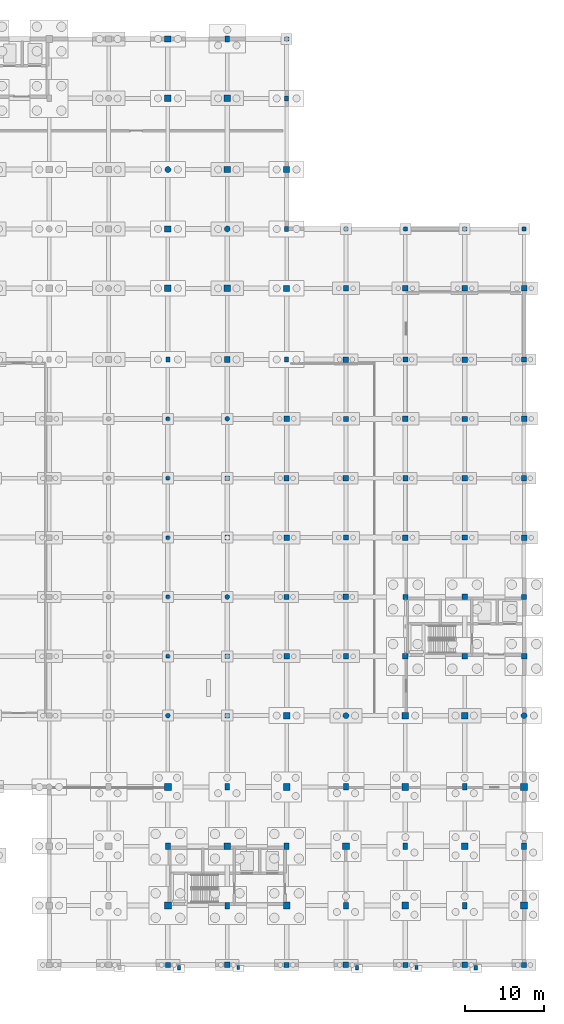
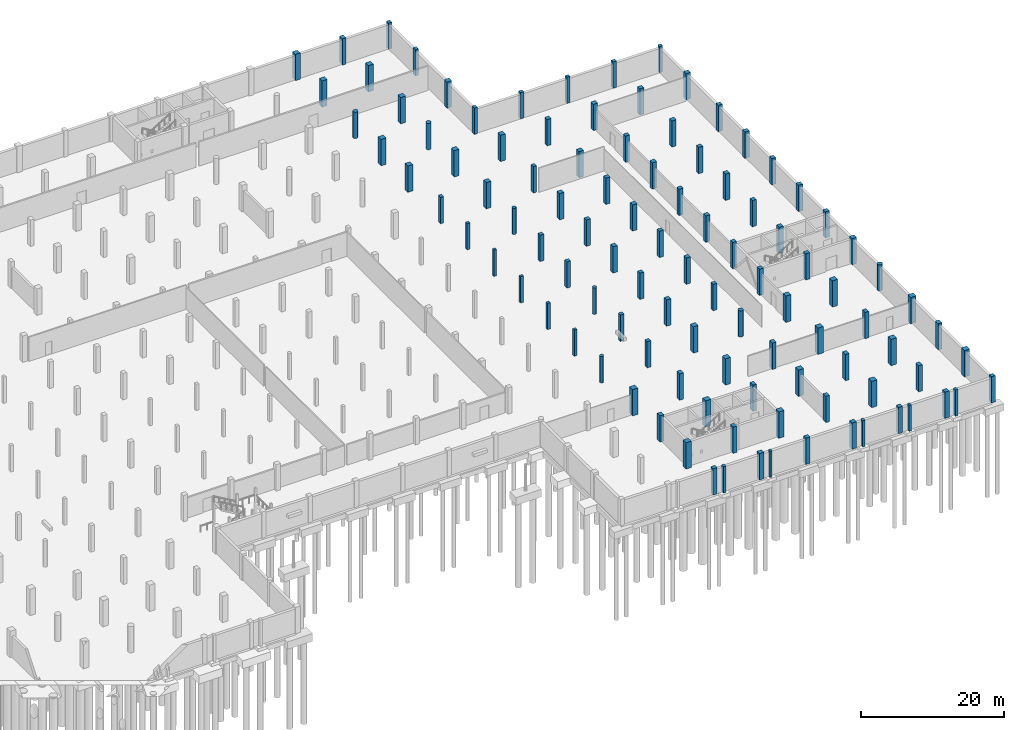
# One storey, part 21 of 42: 105 columns.
"""IFC4 building model written with IfcOpenShell, lengths in metres."""

from ifc_helpers import new_model, si_unit, direction, frame, origin, origin_2d, place, context, subcontext, project, spatial, rectangle, circle, extrude, material, material_profile, profile_set, type_object, element, save


model = new_model("IFC4")

# Units and contexts
model_context = context("Model", 3, precision=1e-05, world=origin(), true_north=direction((0.0, 1.0)))
body_context = subcontext(model_context, "Body", "Model", "MODEL_VIEW")
ifc_project = project(units=[si_unit("LENGTHUNIT", "METRE"), si_unit("AREAUNIT", "SQUARE_METRE"), si_unit("VOLUMEUNIT", "CUBIC_METRE"), si_unit("PLANEANGLEUNIT", "RADIAN"), si_unit("MASSUNIT", "GRAM", prefix="KILO")], contexts=[model_context])

# Site, building, storey
site_placement = place(None, origin())
site = spatial("IfcSite", under=ifc_project, at=site_placement, CompositionType="ELEMENT")
building_placement = place(site_placement, origin())
building = spatial("IfcBuilding", under=site, at=building_placement, Name="Dalvernix Boulevard General Hospital", CompositionType="ELEMENT")
storey_placement = place(building_placement, frame((0.0, 0.0, -4.5)))
storey = spatial("IfcBuildingStorey", under=building, at=storey_placement, Name="B1", CompositionType="ELEMENT", Elevation=-4.5)

# Columns
ifc_material = material(Name="Concrete C40/50", Category="concrete")
ifc_material_profile_1 = material_profile(ifc_material, rectangle(XDim=0.85009765625, YDim=0.85009765625, at=origin_2d()), Name="RC 850x850")
ifc_profile_set_1 = profile_set([ifc_material_profile_1], Name="Concrete C40/50")
column_type_1 = type_object("IfcColumnType", Name="COL-C-02-E", PredefinedType="COLUMN", material=ifc_profile_set_1)
for number, where, z_axis, x_axis, name in (
    (1, (172.5, 7.5, 0.0), (0.0, 0.0, 1.0), (1.0, 0.0, 0.0), "B1 column 24B"),
    (2, (172.5, 22.5, 0.0), (0.0, 0.0, 1.0), (1.0, 0.0, 0.0), "B1 column 24D"),
):
    element("IfcColumn", number, at=place(storey_placement, frame(where, z_axis=z_axis, x_axis=x_axis)), inside=storey, type_object=column_type_1, Name=name, PredefinedType="COLUMN", context=body_context, shape_type="SweptSolid", body=[
        extrude(rectangle(XDim=0.85009765625, YDim=0.85009765625, at=origin_2d()), origin(), (0.0, 0.0, 1.0), 4.5),
    ])
ifc_material_profile_2 = material_profile(ifc_material, rectangle(XDim=0.85009765625, YDim=0.85009765625, at=origin_2d()), Name="RC 850x850")
ifc_profile_set_2 = profile_set([ifc_material_profile_2], Name="Concrete C40/50")
column_type_2 = type_object("IfcColumnType", Name="COL-C-02-I", PredefinedType="COLUMN", material=ifc_profile_set_2)
for number, where, z_axis, x_axis, name in (
    (3, (127.5, 7.5, 0.0), (0.0, 0.0, 1.0), (1.0, 0.0, 0.0), "B1 column 18B"),
    (4, (127.5, 22.5, 0.0), (0.0, 0.0, 1.0), (1.0, 0.0, 0.0), "B1 column 18D"),
    (5, (135.0, 15.0, 0.0), (0.0, 0.0, 1.0), (1.0, 0.0, 0.0), "B1 column 19C"),
    (6, (142.5, 7.5, 0.0), (0.0, 0.0, 1.0), (1.0, 0.0, 0.0), "B1 column 20B"),
    (7, (142.5, 22.5, 0.0), (0.0, 0.0, 1.0), (1.0, 0.0, 0.0), "B1 column 20D"),
    (8, (150.0, 15.0, 0.0), (0.0, 0.0, 1.0), (1.0, 0.0, 0.0), "B1 column 21C"),
    (9, (157.5, 7.5, 0.0), (0.0, 0.0, 1.0), (1.0, 0.0, 0.0), "B1 column 22B"),
    (10, (157.5, 22.5, 0.0), (0.0, 0.0, 1.0), (1.0, 0.0, 0.0), "B1 column 22D"),
    (11, (165.0, 15.0, 0.0), (0.0, 0.0, 1.0), (1.0, 0.0, 0.0), "B1 column 23C"),
):
    element("IfcColumn", number, at=place(storey_placement, frame(where, z_axis=z_axis, x_axis=x_axis)), inside=storey, type_object=column_type_2, Name=name, PredefinedType="COLUMN", context=body_context, shape_type="SweptSolid", body=[
        extrude(rectangle(XDim=0.85009765625, YDim=0.85009765625, at=origin_2d()), origin(), (0.0, 0.0, 1.0), 4.5),
    ])
ifc_material_profile_3 = material_profile(ifc_material, rectangle(XDim=0.800048828125, YDim=0.800048828125, at=origin_2d()), Name="RC 800x800")
ifc_profile_set_3 = profile_set([ifc_material_profile_3], Name="Concrete C40/50")
column_type_3 = type_object("IfcColumnType", Name="COL-C-03-E", PredefinedType="COLUMN", material=ifc_profile_set_3)
column_1_placement = place(storey_placement, frame((127.5, 117.0, 0.0), z_axis=(0.0, 0.0, 1.0), x_axis=(1.0, 0.0, 0.0)))
element("IfcColumn", 12, at=column_1_placement, inside=storey, type_object=column_type_3, Name="B1 column 18R", PredefinedType="COLUMN", context=body_context, shape_type="SweptSolid", body=[
    extrude(rectangle(XDim=0.800048828125, YDim=0.800048828125, at=origin_2d()), origin(), (0.0, 0.0, 1.0), 4.5),
])
ifc_material_profile_4 = material_profile(ifc_material, rectangle(XDim=0.800048828125, YDim=0.800048828125, at=origin_2d()), Name="RC 800x800")
ifc_profile_set_4 = profile_set([ifc_material_profile_4], Name="Concrete C40/50")
column_type_4 = type_object("IfcColumnType", Name="COL-C-03-I", PredefinedType="COLUMN", material=ifc_profile_set_4)
for number, where, z_axis, x_axis, name in (
    (13, (127.5, 85.5, 0.0), (0.0, 0.0, 1.0), (1.0, 0.0, 0.0), "B1 column 18M"),
    (14, (127.5, 93.0, 0.0), (0.0, 0.0, 1.0), (1.0, 0.0, 0.0), "B1 column 18N"),
    (15, (127.5, 109.5, 0.0), (0.0, 0.0, 1.0), (1.0, 0.0, 0.0), "B1 column 18Q"),
    (16, (135.0, 85.5, 0.0), (0.0, 0.0, 1.0), (1.0, 0.0, 0.0), "B1 column 19M"),
    (17, (135.0, 100.5, 0.0), (0.0, 0.0, 1.0), (1.0, 0.0, 0.0), "B1 column 19P"),
    (18, (135.0, 109.5, 0.0), (0.0, 0.0, 1.0), (1.0, 0.0, 0.0), "B1 column 19Q"),
    (19, (142.5, 31.5, 0.0), (0.0, 0.0, 1.0), (1.0, 0.0, 0.0), "B1 column 20E"),
    (20, (157.5, 31.5, 0.0), (0.0, 0.0, 1.0), (1.0, 0.0, 0.0), "B1 column 22E"),
    (21, (165.0, 31.5, 0.0), (0.0, 0.0, 1.0), (1.0, 0.0, 0.0), "B1 column 23E"),
):
    element("IfcColumn", number, at=place(storey_placement, frame(where, z_axis=z_axis, x_axis=x_axis)), inside=storey, type_object=column_type_4, Name=name, PredefinedType="COLUMN", context=body_context, shape_type="SweptSolid", body=[
        extrude(rectangle(XDim=0.800048828125, YDim=0.800048828125, at=origin_2d()), origin(), (0.0, 0.0, 1.0), 4.5),
    ])
ifc_material_profile_5 = material_profile(ifc_material, rectangle(XDim=0.75, YDim=0.75, at=origin_2d()), Name="RC 750x750")
ifc_profile_set_5 = profile_set([ifc_material_profile_5], Name="Concrete C40/50")
column_type_5 = type_object("IfcColumnType", Name="COL-C-04-E", PredefinedType="COLUMN", material=ifc_profile_set_5)
column_2_placement = place(storey_placement, frame((142.5, 100.5, 0.0), z_axis=(0.0, 0.0, 1.0), x_axis=(1.0, 0.0, 0.0)))
element("IfcColumn", 22, at=column_2_placement, inside=storey, type_object=column_type_5, Name="B1 column 20P", PredefinedType="COLUMN", context=body_context, shape_type="SweptSolid", body=[
    extrude(rectangle(XDim=0.75, YDim=0.75, at=origin_2d()), origin(), (0.0, 0.0, 1.0), 4.5),
])
ifc_material_profile_6 = material_profile(ifc_material, rectangle(XDim=0.75, YDim=0.75, at=origin_2d()), Name="RC 750x750")
ifc_profile_set_6 = profile_set([ifc_material_profile_6], Name="Concrete C40/50")
column_type_6 = type_object("IfcColumnType", Name="COL-C-04-I", PredefinedType="COLUMN", material=ifc_profile_set_6)
for number, where, z_axis, x_axis, name in (
    (23, (135.0, 76.5, 0.0), (0.0, 0.0, 1.0), (1.0, 0.0, 0.0), "B1 column 19L"),
    (24, (142.5, 85.5, 0.0), (0.0, 0.0, 1.0), (1.0, 0.0, 0.0), "B1 column 20M"),
):
    element("IfcColumn", number, at=place(storey_placement, frame(where, z_axis=z_axis, x_axis=x_axis)), inside=storey, type_object=column_type_6, Name=name, PredefinedType="COLUMN", context=body_context, shape_type="SweptSolid", body=[
        extrude(rectangle(XDim=0.75, YDim=0.75, at=origin_2d()), origin(), (0.0, 0.0, 1.0), 4.5),
    ])
ifc_material_profile_7 = material_profile(ifc_material, rectangle(XDim=0.699951171875, YDim=0.699951171875, at=origin_2d()), Name="RC 700x700")
ifc_profile_set_7 = profile_set([ifc_material_profile_7], Name="Concrete C40/50")
column_type_7 = type_object("IfcColumnType", Name="COL-C-05-E", PredefinedType="COLUMN", material=ifc_profile_set_7)
for number, where, z_axis, x_axis, name in (
    (25, (135.0, 0.0, 0.0), (0.0, 0.0, 1.0), (1.0, 0.0, 0.0), "B1 column 19A"),
    (26, (150.0, 0.0, 0.0), (0.0, 0.0, 1.0), (1.0, 0.0, 0.0), "B1 column 21A"),
    (27, (165.0, 0.0, 0.0), (0.0, 0.0, 1.0), (1.0, 0.0, 0.0), "B1 column 23A"),
    (28, (172.5, 39.0, 0.0), (0.0, 0.0, 1.0), (1.0, 0.0, 0.0), "B1 column 24F"),
    (29, (172.5, 54.0, 0.0), (0.0, 0.0, 1.0), (1.0, 0.0, 0.0), "B1 column 24H"),
    (30, (172.5, 69.0, 0.0), (0.0, 0.0, 1.0), (1.0, 0.0, 0.0), "B1 column 24K"),
    (31, (172.5, 85.5, 0.0), (0.0, 0.0, 1.0), (1.0, 0.0, 0.0), "B1 column 24M"),
):
    element("IfcColumn", number, at=place(storey_placement, frame(where, z_axis=z_axis, x_axis=x_axis)), inside=storey, type_object=column_type_7, Name=name, PredefinedType="COLUMN", context=body_context, shape_type="SweptSolid", body=[
        extrude(rectangle(XDim=0.699951171875, YDim=0.699951171875, at=origin_2d()), origin(), (0.0, 0.0, 1.0), 4.5),
    ])
ifc_material_profile_8 = material_profile(ifc_material, rectangle(XDim=0.699951171875, YDim=0.699951171875, at=origin_2d()), Name="RC 700x700")
ifc_profile_set_8 = profile_set([ifc_material_profile_8], Name="Concrete C40/50")
column_type_8 = type_object("IfcColumnType", Name="COL-C-05-I", PredefinedType="COLUMN", material=ifc_profile_set_8)
for number, where, z_axis, x_axis, name in (
    (32, (142.5, 39.0, 0.0), (0.0, 0.0, 1.0), (1.0, 0.0, 0.0), "B1 column 20F"),
    (33, (142.5, 54.0, 0.0), (0.0, 0.0, 1.0), (1.0, 0.0, 0.0), "B1 column 20H"),
    (34, (142.5, 69.0, 0.0), (0.0, 0.0, 1.0), (1.0, 0.0, 0.0), "B1 column 20K"),
    (35, (150.0, 46.5, 0.0), (0.0, 0.0, 1.0), (1.0, 0.0, 0.0), "B1 column 21G"),
    (36, (150.0, 61.5, 0.0), (0.0, 0.0, 1.0), (1.0, 0.0, 0.0), "B1 column 21J"),
    (37, (150.0, 76.5, 0.0), (0.0, 0.0, 1.0), (1.0, 0.0, 0.0), "B1 column 21L"),
    (38, (157.5, 39.0, 0.0), (0.0, 0.0, 1.0), (1.0, 0.0, 0.0), "B1 column 22F"),
    (39, (157.5, 54.0, 0.0), (0.0, 0.0, 1.0), (1.0, 0.0, 0.0), "B1 column 22H"),
    (40, (157.5, 69.0, 0.0), (0.0, 0.0, 1.0), (1.0, 0.0, 0.0), "B1 column 22K"),
    (41, (157.5, 85.5, 0.0), (0.0, 0.0, 1.0), (1.0, 0.0, 0.0), "B1 column 22M"),
    (42, (165.0, 46.5, 0.0), (0.0, 0.0, 1.0), (1.0, 0.0, 0.0), "B1 column 23G"),
    (43, (165.0, 61.5, 0.0), (0.0, 0.0, 1.0), (1.0, 0.0, 0.0), "B1 column 23J"),
    (44, (165.0, 76.5, 0.0), (0.0, 0.0, 1.0), (1.0, 0.0, 0.0), "B1 column 23L"),
):
    element("IfcColumn", number, at=place(storey_placement, frame(where, z_axis=z_axis, x_axis=x_axis)), inside=storey, type_object=column_type_8, Name=name, PredefinedType="COLUMN", context=body_context, shape_type="SweptSolid", body=[
        extrude(rectangle(XDim=0.699951171875, YDim=0.699951171875, at=origin_2d()), origin(), (0.0, 0.0, 1.0), 4.5),
    ])
ifc_material_profile_9 = material_profile(ifc_material, rectangle(XDim=0.64990234375, YDim=0.64990234375, at=origin_2d()), Name="RC 650x650")
ifc_profile_set_9 = profile_set([ifc_material_profile_9], Name="Concrete C40/50")
column_type_9 = type_object("IfcColumnType", Name="COL-C-06-E", PredefinedType="COLUMN", material=ifc_profile_set_9)
for number, where, z_axis, x_axis, name in (
    (45, (127.5, 0.0, 0.0), (0.0, 0.0, 1.0), (1.0, 0.0, 0.0), "B1 column 18A"),
    (46, (142.5, 0.0, 0.0), (0.0, 0.0, 1.0), (1.0, 0.0, 0.0), "B1 column 20A"),
    (47, (157.5, 0.0, 0.0), (0.0, 0.0, 1.0), (1.0, 0.0, 0.0), "B1 column 22A"),
    (48, (172.5, 0.0, 0.0), (0.0, 0.0, 1.0), (1.0, 0.0, 0.0), "B1 column 24A"),
    (49, (172.5, 46.5, 0.0), (0.0, 0.0, 1.0), (1.0, 0.0, 0.0), "B1 column 24G"),
    (50, (172.5, 61.5, 0.0), (0.0, 0.0, 1.0), (1.0, 0.0, 0.0), "B1 column 24J"),
    (51, (172.5, 76.5, 0.0), (0.0, 0.0, 1.0), (1.0, 0.0, 0.0), "B1 column 24L"),
):
    element("IfcColumn", number, at=place(storey_placement, frame(where, z_axis=z_axis, x_axis=x_axis)), inside=storey, type_object=column_type_9, Name=name, PredefinedType="COLUMN", context=body_context, shape_type="SweptSolid", body=[
        extrude(rectangle(XDim=0.64990234375, YDim=0.64990234375, at=origin_2d()), origin(), (0.0, 0.0, 1.0), 4.5),
    ])
ifc_material_profile_10 = material_profile(ifc_material, rectangle(XDim=0.64990234375, YDim=0.64990234375, at=origin_2d()), Name="RC 650x650")
ifc_profile_set_10 = profile_set([ifc_material_profile_10], Name="Concrete C40/50")
column_type_10 = type_object("IfcColumnType", Name="COL-C-06-I", PredefinedType="COLUMN", material=ifc_profile_set_10)
for number, where, z_axis, x_axis, name in (
    (52, (142.5, 46.5, 0.0), (0.0, 0.0, 1.0), (1.0, 0.0, 0.0), "B1 column 20G"),
    (53, (142.5, 61.5, 0.0), (0.0, 0.0, 1.0), (1.0, 0.0, 0.0), "B1 column 20J"),
    (54, (150.0, 39.0, 0.0), (0.0, 0.0, 1.0), (1.0, 0.0, 0.0), "B1 column 21F"),
    (55, (150.0, 54.0, 0.0), (0.0, 0.0, 1.0), (1.0, 0.0, 0.0), "B1 column 21H"),
    (56, (150.0, 69.0, 0.0), (0.0, 0.0, 1.0), (1.0, 0.0, 0.0), "B1 column 21K"),
    (57, (150.0, 85.5, 0.0), (0.0, 0.0, 1.0), (1.0, 0.0, 0.0), "B1 column 21M"),
    (58, (157.5, 46.5, 0.0), (0.0, 0.0, 1.0), (1.0, 0.0, 0.0), "B1 column 22G"),
    (59, (157.5, 61.5, 0.0), (0.0, 0.0, 1.0), (1.0, 0.0, 0.0), "B1 column 22J"),
    (60, (157.5, 76.5, 0.0), (0.0, 0.0, 1.0), (1.0, 0.0, 0.0), "B1 column 22L"),
    (61, (165.0, 39.0, 0.0), (0.0, 0.0, 1.0), (1.0, 0.0, 0.0), "B1 column 23F"),
    (62, (165.0, 54.0, 0.0), (0.0, 0.0, 1.0), (1.0, 0.0, 0.0), "B1 column 23H"),
    (63, (165.0, 69.0, 0.0), (0.0, 0.0, 1.0), (1.0, 0.0, 0.0), "B1 column 23K"),
    (64, (165.0, 85.5, 0.0), (0.0, 0.0, 1.0), (1.0, 0.0, 0.0), "B1 column 23M"),
):
    element("IfcColumn", number, at=place(storey_placement, frame(where, z_axis=z_axis, x_axis=x_axis)), inside=storey, type_object=column_type_10, Name=name, PredefinedType="COLUMN", context=body_context, shape_type="SweptSolid", body=[
        extrude(rectangle(XDim=0.64990234375, YDim=0.64990234375, at=origin_2d()), origin(), (0.0, 0.0, 1.0), 4.5),
    ])
ifc_material_profile_11 = material_profile(ifc_material, rectangle(XDim=0.60009765625, YDim=0.60009765625, at=origin_2d()), Name="RC 600x600")
ifc_profile_set_11 = profile_set([ifc_material_profile_11], Name="Concrete C40/50")
column_type_11 = type_object("IfcColumnType", Name="COL-C-07-I", PredefinedType="COLUMN", material=ifc_profile_set_11)
for number, where, z_axis, x_axis, name in (
    (65, (135.0, 31.5, 0.0), (0.0, 0.0, 1.0), (1.0, 0.0, 0.0), "B1 column 19E"),
    (66, (135.0, 39.0, 0.0), (0.0, 0.0, 1.0), (1.0, 0.0, 0.0), "B1 column 19F"),
    (67, (135.0, 54.0, 0.0), (0.0, 0.0, 1.0), (1.0, 0.0, 0.0), "B1 column 19H"),
    (68, (135.0, 61.5, 0.0), (0.0, 0.0, 1.0), (1.0, 0.0, 0.0), "B1 column 19J"),
):
    element("IfcColumn", number, at=place(storey_placement, frame(where, z_axis=z_axis, x_axis=x_axis)), inside=storey, type_object=column_type_11, Name=name, PredefinedType="COLUMN", context=body_context, shape_type="SweptSolid", body=[
        extrude(rectangle(XDim=0.60009765625, YDim=0.60009765625, at=origin_2d()), origin(), (0.0, 0.0, 1.0), 4.5),
    ])
ifc_material_profile_12 = material_profile(ifc_material, rectangle(XDim=0.550048828125, YDim=0.550048828125, at=origin_2d()), Name="RC 550x550")
ifc_profile_set_12 = profile_set([ifc_material_profile_12], Name="Concrete C40/50")
column_type_12 = type_object("IfcColumnType", Name="COL-C-08-E", PredefinedType="COLUMN", material=ifc_profile_set_12)
for number, where, z_axis, x_axis, name in (
    (69, (142.5, 117.0, 0.0), (0.0, 0.0, 1.0), (1.0, 0.0, 0.0), "B1 column 20R"),
    (70, (150.0, 93.0, 0.0), (0.0, 0.0, 1.0), (1.0, 0.0, 0.0), "B1 column 21N"),
    (71, (165.0, 93.0, 0.0), (0.0, 0.0, 1.0), (1.0, 0.0, 0.0), "B1 column 23N"),
):
    element("IfcColumn", number, at=place(storey_placement, frame(where, z_axis=z_axis, x_axis=x_axis)), inside=storey, type_object=column_type_12, Name=name, PredefinedType="COLUMN", context=body_context, shape_type="SweptSolid", body=[
        extrude(rectangle(XDim=0.550048828125, YDim=0.550048828125, at=origin_2d()), origin(), (0.0, 0.0, 1.0), 4.5),
    ])
ifc_material_profile_13 = material_profile(ifc_material, rectangle(XDim=0.5, YDim=0.5, at=origin_2d()), Name="RC 500x500")
ifc_profile_set_13 = profile_set([ifc_material_profile_13], Name="Concrete C40/50")
column_type_13 = type_object("IfcColumnType", Name="COL-C-09-E", PredefinedType="COLUMN", material=ifc_profile_set_13)
for number, where, z_axis, x_axis, name in (
    (72, (157.5, 93.0, 0.0), (0.0, 0.0, 1.0), (1.0, 0.0, 0.0), "B1 column 22N"),
    (73, (172.5, 93.0, 0.0), (0.0, 0.0, 1.0), (1.0, 0.0, 0.0), "B1 column 24N"),
):
    element("IfcColumn", number, at=place(storey_placement, frame(where, z_axis=z_axis, x_axis=x_axis)), inside=storey, type_object=column_type_13, Name=name, PredefinedType="COLUMN", context=body_context, shape_type="SweptSolid", body=[
        extrude(rectangle(XDim=0.5, YDim=0.5, at=origin_2d()), origin(), (0.0, 0.0, 1.0), 4.5),
    ])
ifc_material_profile_14 = material_profile(ifc_material, rectangle(XDim=0.449951171875, YDim=0.449951171875, at=origin_2d()), Name="RC 450x450")
ifc_profile_set_14 = profile_set([ifc_material_profile_14], Name="Concrete C40/50")
column_type_14 = type_object("IfcColumnType", Name="COL-C-10-I", PredefinedType="COLUMN", material=ifc_profile_set_14)
for number, where, z_axis, x_axis, name in (
    (74, (127.5, 39.0, 0.0), (0.0, 0.0, 1.0), (1.0, 0.0, 0.0), "B1 column 18F"),
    (75, (127.5, 46.5, 0.0), (0.0, 0.0, 1.0), (1.0, 0.0, 0.0), "B1 column 18G"),
    (76, (127.5, 54.0, 0.0), (0.0, 0.0, 1.0), (1.0, 0.0, 0.0), "B1 column 18H"),
    (77, (127.5, 61.5, 0.0), (0.0, 0.0, 1.0), (1.0, 0.0, 0.0), "B1 column 18J"),
    (78, (127.5, 69.0, 0.0), (0.0, 0.0, 1.0), (1.0, 0.0, 0.0), "B1 column 18K"),
):
    element("IfcColumn", number, at=place(storey_placement, frame(where, z_axis=z_axis, x_axis=x_axis)), inside=storey, type_object=column_type_14, Name=name, PredefinedType="COLUMN", context=body_context, shape_type="SweptSolid", body=[
        extrude(rectangle(XDim=0.449951171875, YDim=0.449951171875, at=origin_2d()), origin(), (0.0, 0.0, 1.0), 4.5),
    ])
ifc_material_profile_15 = material_profile(ifc_material, rectangle(XDim=0.60009765625, YDim=0.800048828125, at=origin_2d()), Name="RC 600x800")
ifc_profile_set_15 = profile_set([ifc_material_profile_15], Name="Concrete C40/50")
column_type_15 = type_object("IfcColumnType", Name="COL-C-11-E", PredefinedType="COLUMN", material=ifc_profile_set_15)
for number, where, z_axis, x_axis, name in (
    (79, (135.0, 117.0, 0.0), (0.0, 0.0, 1.0), (1.0, 0.0, 0.0), "B1 column 19R"),
    (80, (172.5, 15.0, 0.0), (0.0, 0.0, 1.0), (1.0, 0.0, 0.0), "B1 column 24C"),
):
    element("IfcColumn", number, at=place(storey_placement, frame(where, z_axis=z_axis, x_axis=x_axis)), inside=storey, type_object=column_type_15, Name=name, PredefinedType="COLUMN", context=body_context, shape_type="SweptSolid", body=[
        extrude(rectangle(XDim=0.60009765625, YDim=0.800048828125, at=origin_2d()), origin(), (0.0, 0.0, 1.0), 4.5),
    ])
ifc_material_profile_16 = material_profile(ifc_material, rectangle(XDim=0.60009765625, YDim=0.800048828125, at=origin_2d()), Name="RC 600x800")
ifc_profile_set_16 = profile_set([ifc_material_profile_16], Name="Concrete C40/50")
column_type_16 = type_object("IfcColumnType", Name="COL-C-11-I", PredefinedType="COLUMN", material=ifc_profile_set_16)
for number, where, z_axis, x_axis, name in (
    (81, (127.5, 15.0, 0.0), (0.0, 0.0, 1.0), (1.0, 0.0, 0.0), "B1 column 18C"),
    (82, (135.0, 7.5, 0.0), (0.0, 0.0, 1.0), (1.0, 0.0, 0.0), "B1 column 19B"),
    (83, (135.0, 22.5, 0.0), (0.0, 0.0, 1.0), (1.0, 0.0, 0.0), "B1 column 19D"),
    (84, (142.5, 15.0, 0.0), (0.0, 0.0, 1.0), (1.0, 0.0, 0.0), "B1 column 20C"),
    (85, (150.0, 7.5, 0.0), (0.0, 0.0, 1.0), (1.0, 0.0, 0.0), "B1 column 21B"),
    (86, (150.0, 22.5, 0.0), (0.0, 0.0, 1.0), (1.0, 0.0, 0.0), "B1 column 21D"),
    (87, (157.5, 15.0, 0.0), (0.0, 0.0, 1.0), (1.0, 0.0, 0.0), "B1 column 22C"),
    (88, (165.0, 7.5, 0.0), (0.0, 0.0, 1.0), (1.0, 0.0, 0.0), "B1 column 23B"),
    (89, (165.0, 22.5, 0.0), (0.0, 0.0, 1.0), (1.0, 0.0, 0.0), "B1 column 23D"),
):
    element("IfcColumn", number, at=place(storey_placement, frame(where, z_axis=z_axis, x_axis=x_axis)), inside=storey, type_object=column_type_16, Name=name, PredefinedType="COLUMN", context=body_context, shape_type="SweptSolid", body=[
        extrude(rectangle(XDim=0.60009765625, YDim=0.800048828125, at=origin_2d()), origin(), (0.0, 0.0, 1.0), 4.5),
    ])
ifc_material_profile_17 = material_profile(ifc_material, rectangle(XDim=0.5, YDim=0.64990234375, at=origin_2d()), Name="RC 500x650")
ifc_profile_set_17 = profile_set([ifc_material_profile_17], Name="Concrete C40/50")
column_type_17 = type_object("IfcColumnType", Name="COL-C-12-E", PredefinedType="COLUMN", material=ifc_profile_set_17)
for number, where, z_axis, x_axis, name in (
    (90, (142.5, 93.0, 0.0), (0.0, 0.0, 1.0), (1.0, 0.0, 0.0), "B1 column 20N"),
    (91, (142.5, 109.5, 0.0), (0.0, 0.0, 1.0), (1.0, 0.0, 0.0), "B1 column 20Q"),
):
    element("IfcColumn", number, at=place(storey_placement, frame(where, z_axis=z_axis, x_axis=x_axis)), inside=storey, type_object=column_type_17, Name=name, PredefinedType="COLUMN", context=body_context, shape_type="SweptSolid", body=[
        extrude(rectangle(XDim=0.5, YDim=0.64990234375, at=origin_2d()), origin(), (0.0, 0.0, 1.0), 4.5),
    ])
ifc_material_profile_18 = material_profile(ifc_material, rectangle(XDim=0.5, YDim=0.64990234375, at=origin_2d()), Name="RC 500x650")
ifc_profile_set_18 = profile_set([ifc_material_profile_18], Name="Concrete C40/50")
column_type_18 = type_object("IfcColumnType", Name="COL-C-12-I", PredefinedType="COLUMN", material=ifc_profile_set_18)
for number, where, z_axis, x_axis, name in (
    (92, (127.5, 76.5, 0.0), (0.0, 0.0, 1.0), (1.0, 0.0, 0.0), "B1 column 18L"),
    (93, (142.5, 76.5, 0.0), (0.0, 0.0, 1.0), (1.0, 0.0, 0.0), "B1 column 20L"),
):
    element("IfcColumn", number, at=place(storey_placement, frame(where, z_axis=z_axis, x_axis=x_axis)), inside=storey, type_object=column_type_18, Name=name, PredefinedType="COLUMN", context=body_context, shape_type="SweptSolid", body=[
        extrude(rectangle(XDim=0.5, YDim=0.64990234375, at=origin_2d()), origin(), (0.0, 0.0, 1.0), 4.5),
    ])
ifc_material_profile_19 = material_profile(ifc_material, circle(Radius=0.375, at=origin_2d()), Name="RC D750")
ifc_profile_set_19 = profile_set([ifc_material_profile_19], Name="Concrete C40/50")
column_type_19 = type_object("IfcColumnType", Name="COL-C-14-E", PredefinedType="COLUMN", material=ifc_profile_set_19)
column_3_placement = place(storey_placement, frame((172.5, 31.5, 0.0), z_axis=(0.0, 0.0, 1.0), x_axis=(1.0, 0.0, 0.0)))
element("IfcColumn", 94, at=column_3_placement, inside=storey, type_object=column_type_19, Name="B1 column 24E", PredefinedType="COLUMN", context=body_context, shape_type="SweptSolid", body=[
    extrude(circle(Radius=0.375, at=origin_2d()), origin(), (0.0, 0.0, 1.0), 4.5),
])
ifc_material_profile_20 = material_profile(ifc_material, circle(Radius=0.375, at=origin_2d()), Name="RC D750")
ifc_profile_set_20 = profile_set([ifc_material_profile_20], Name="Concrete C40/50")
column_type_20 = type_object("IfcColumnType", Name="COL-C-14-I", PredefinedType="COLUMN", material=ifc_profile_set_20)
for number, where, z_axis, x_axis, name in (
    (95, (127.5, 100.5, 0.0), (0.0, 0.0, 1.0), (1.0, 0.0, 0.0), "B1 column 18P"),
    (96, (135.0, 93.0, 0.0), (0.0, 0.0, 1.0), (1.0, 0.0, 0.0), "B1 column 19N"),
    (97, (150.0, 31.5, 0.0), (0.0, 0.0, 1.0), (1.0, 0.0, 0.0), "B1 column 21E"),
):
    element("IfcColumn", number, at=place(storey_placement, frame(where, z_axis=z_axis, x_axis=x_axis)), inside=storey, type_object=column_type_20, Name=name, PredefinedType="COLUMN", context=body_context, shape_type="SweptSolid", body=[
        extrude(circle(Radius=0.375, at=origin_2d()), origin(), (0.0, 0.0, 1.0), 4.5),
    ])
ifc_material_profile_21 = material_profile(ifc_material, circle(Radius=0.300048828125, at=origin_2d()), Name="RC D600")
ifc_profile_set_21 = profile_set([ifc_material_profile_21], Name="Concrete C40/50")
column_type_21 = type_object("IfcColumnType", Name="COL-C-15-I", PredefinedType="COLUMN", material=ifc_profile_set_21)
for number, where, z_axis, x_axis, name in (
    (98, (127.5, 31.5, 0.0), (0.0, 0.0, 1.0), (1.0, 0.0, 0.0), "B1 column 18E"),
    (99, (135.0, 46.5, 0.0), (0.0, 0.0, 1.0), (1.0, 0.0, 0.0), "B1 column 19G"),
    (100, (135.0, 69.0, 0.0), (0.0, 0.0, 1.0), (1.0, 0.0, 0.0), "B1 column 19K"),
):
    element("IfcColumn", number, at=place(storey_placement, frame(where, z_axis=z_axis, x_axis=x_axis)), inside=storey, type_object=column_type_21, Name=name, PredefinedType="COLUMN", context=body_context, shape_type="SweptSolid", body=[
        extrude(circle(Radius=0.300048828125, at=origin_2d()), origin(), (0.0, 0.0, 1.0), 4.5),
    ])
ifc_material_profile_22 = material_profile(ifc_material, rectangle(XDim=0.35009765625, YDim=0.5, at=origin_2d()), Name="RC 350x500")
ifc_profile_set_22 = profile_set([ifc_material_profile_22], Name="Concrete C40/50")
column_type_22 = type_object("IfcColumnType", Name="COL-CP-01", PredefinedType="PILASTER", material=ifc_profile_set_22)
for number, where, z_axis, x_axis, name in (
    (101, (136.39990234375, -0.340087890625, 0.0), (0.0, 0.0, 1.0), (1.0, 0.0, 0.0), "B1 boulevard facade pilaster 9"),
    (102, (158.89990234375, -0.340087890625, 0.0), (0.0, 0.0, 1.0), (1.0, 0.0, 0.0), "B1 boulevard facade pilaster 11"),
):
    element("IfcColumn", number, at=place(storey_placement, frame(where, z_axis=z_axis, x_axis=x_axis)), inside=storey, type_object=column_type_22, Name=name, PredefinedType="PILASTER", context=body_context, shape_type="SweptSolid", body=[
        extrude(rectangle(XDim=0.35009765625, YDim=0.5, at=origin_2d()), origin(), (0.0, 0.0, 1.0), 4.5),
    ])
ifc_material_profile_23 = material_profile(ifc_material, rectangle(XDim=0.39990234375, YDim=0.550048828125, at=origin_2d()), Name="RC 400x550")
ifc_profile_set_23 = profile_set([ifc_material_profile_23], Name="Concrete C40/50")
column_type_23 = type_object("IfcColumnType", Name="COL-CP-02", PredefinedType="PILASTER", material=ifc_profile_set_23)
for number, where, z_axis, x_axis, name in (
    (103, (128.89990234375, -0.340087890625, 0.0), (0.0, 0.0, 1.0), (1.0, 0.0, 0.0), "B1 boulevard facade pilaster 8"),
    (104, (151.39990234375, -0.340087890625, 0.0), (0.0, 0.0, 1.0), (1.0, 0.0, 0.0), "B1 boulevard facade pilaster 10"),
    (105, (166.39990234375, -0.340087890625, 0.0), (0.0, 0.0, 1.0), (1.0, 0.0, 0.0), "B1 boulevard facade pilaster 12"),
):
    element("IfcColumn", number, at=place(storey_placement, frame(where, z_axis=z_axis, x_axis=x_axis)), inside=storey, type_object=column_type_23, Name=name, PredefinedType="PILASTER", context=body_context, shape_type="SweptSolid", body=[
        extrude(rectangle(XDim=0.39990234375, YDim=0.550048828125, at=origin_2d()), origin(), (0.0, 0.0, 1.0), 4.5),
    ])

save(model, "model.ifc")
